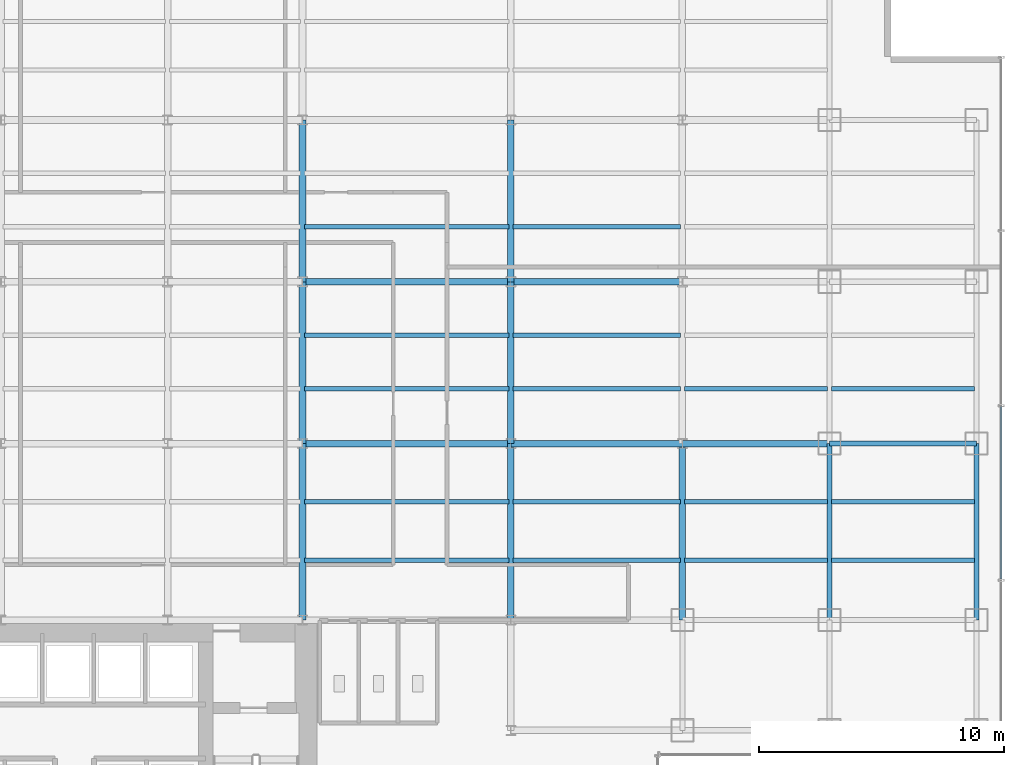
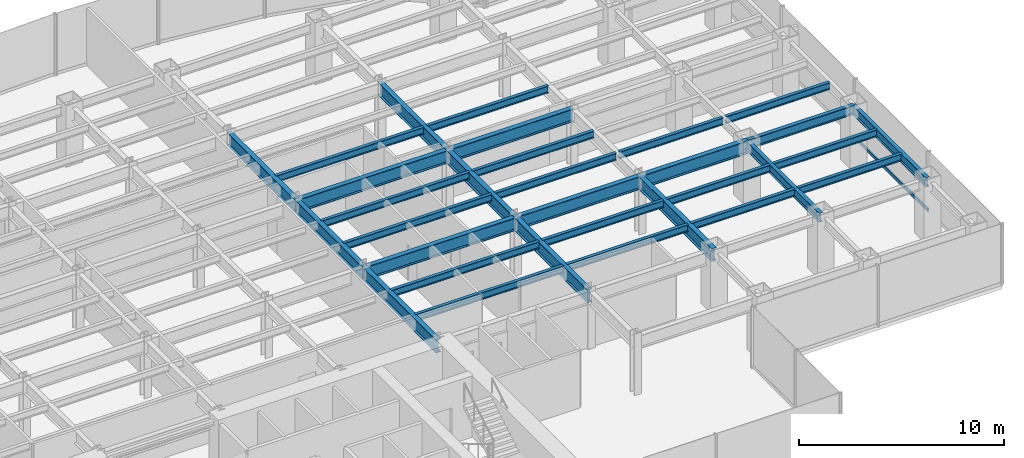
# One storey, part 8 of 23: 31 beams, 1 member, 1 element without a shape of its own.
"""IFC4 building model written with IfcOpenShell, lengths in metres."""

from ifc_helpers import new_model, si_unit, derived_unit, direction, frame, origin, origin_2d, place, context, subcontext, project, spatial, hollow_rectangle, i_section, extrude, source, transform, mapped, material, material_profile, profile_set, type_object, element, aggregate, save


model = new_model("IFC4")

# Units and contexts
model_context = context("Model", 3, precision=1e-05, world=origin(), true_north=direction((0.0, 1.0)))
body_context = subcontext(model_context, "Body", "Model", "MODEL_VIEW")
ifc_project = project(units=[si_unit("LENGTHUNIT", "METRE"), si_unit("AREAUNIT", "SQUARE_METRE"), si_unit("VOLUMEUNIT", "CUBIC_METRE"), si_unit("PLANEANGLEUNIT", "RADIAN"), si_unit("MASSUNIT", "GRAM", prefix="KILO"), derived_unit("THERMALTRANSMITTANCEUNIT", [(si_unit("POWERUNIT", "WATT"), 1), (si_unit("LENGTHUNIT", "METRE"), -2), (si_unit("THERMODYNAMICTEMPERATUREUNIT", "KELVIN"), -1)])], contexts=[model_context])

# Site, building, storey
site_placement = place(None, origin())
site = spatial("IfcSite", under=ifc_project, at=site_placement, CompositionType="ELEMENT")
building_placement = place(site_placement, origin())
building = spatial("IfcBuilding", under=site, at=building_placement, Name="Skarnbrae Concourse Arena and Tower", CompositionType="ELEMENT")
storey_placement = place(building_placement, frame((0.0, 0.0, 54.39990234375)))
storey = spatial("IfcBuildingStorey", under=building, at=storey_placement, Name="L12", CompositionType="ELEMENT", Elevation=54.39990234375)

# Beams
ifc_material_1 = material(Name="Steel CSA G40.21 350W", Category="steel")
ifc_material_profile_1 = material_profile(ifc_material_1, i_section(OverallWidth=0.26806640625, OverallDepth=0.77001953125, WebThickness=0.015625, FlangeThickness=0.025390625, at=origin_2d()), Name="W760X196")
ifc_profile_set_1 = profile_set([ifc_material_profile_1], Name="Steel CSA G40.21 350W")
beam_type_1 = type_object("IfcBeamType", Name="BM-GIRD-W760X196", PredefinedType="BEAM", material=ifc_profile_set_1)
shared_shape_1 = source(origin(), body_context, "Body", "SweptSolid", [
    extrude(i_section(OverallWidth=0.26806640625, OverallDepth=0.77001953125, WebThickness=0.015625, FlangeThickness=0.025390625, at=origin_2d()), origin(), (0.0, 0.0, 1.0), 7.0),
])
for number, where, z_axis, x_axis, name in (
    (1, (42.0, 21.199951171875, 3.01513671875), (1.0, 0.0, 0.0), (0.0, 1.0, 0.0), "L12 Primary E-W girder Y21.2-7"),
    (2, (42.0, 27.800048828125, 3.01513671875), (1.0, 0.0, 0.0), (0.0, 1.0, 0.0), "L12 Primary E-W girder Y27.8-7"),
):
    element("IfcBeam", number, at=place(storey_placement, frame(where, z_axis=z_axis, x_axis=x_axis)), inside=storey, type_object=beam_type_1, Name=name, PredefinedType="BEAM", context=body_context, shape_type="MappedRepresentation", body=[
        mapped(shared_shape_1, transform((0.0, 0.0, 0.0))),
    ])
ifc_material_profile_2 = material_profile(ifc_material_1, i_section(OverallWidth=0.214111328125, OverallDepth=0.549072265625, WebThickness=0.0146484375, FlangeThickness=0.023681640625, at=origin_2d()), Name="W530X138")
ifc_profile_set_2 = profile_set([ifc_material_profile_2], Name="Steel CSA G40.21 350W")
beam_type_2 = type_object("IfcBeamType", Name="BM-SPAN-W530X138", PredefinedType="SPANDREL", material=ifc_profile_set_2)
shared_shape_2 = source(origin(), body_context, "Body", "SweptSolid", [
    extrude(i_section(OverallWidth=0.214111328125, OverallDepth=0.549072265625, WebThickness=0.0146484375, FlangeThickness=0.023681640625, at=origin_2d()), origin(), (0.0, 0.0, 1.0), 6.0),
])
beam_1_placement = place(storey_placement, frame((55.0, 21.199951171875, 3.12548828125), z_axis=(1.0, 0.0, 0.0), x_axis=(0.0, 1.0, 0.0)))
element("IfcBeam", 3, at=beam_1_placement, inside=storey, type_object=beam_type_2, Name="L12 Perimeter spandrel Y21.2-9", PredefinedType="SPANDREL", context=body_context, shape_type="MappedRepresentation", body=[
    mapped(shared_shape_2, transform((0.0, 0.0, 0.0))),
])
shared_shape_3 = source(origin(), body_context, "Body", "SweptSolid", [
    extrude(i_section(OverallWidth=0.26806640625, OverallDepth=0.77001953125, WebThickness=0.015625, FlangeThickness=0.025390625, at=origin_2d()), origin(), (0.0, 0.0, 1.0), 6.60009765625),
])
for number, where, z_axis, x_axis, name in (
    (4, (33.5, 21.199951171875, 3.01513671875), (0.0, 1.0, 0.0), (-1.0, 0.0, 0.0), "L12 Primary N-S girder X33.5-2"),
    (5, (42.0, 21.199951171875, 3.01513671875), (0.0, 1.0, 0.0), (-1.0, 0.0, 0.0), "L12 Primary N-S girder X42.0-3"),
):
    element("IfcBeam", number, at=place(storey_placement, frame(where, z_axis=z_axis, x_axis=x_axis)), inside=storey, type_object=beam_type_1, Name=name, PredefinedType="BEAM", context=body_context, shape_type="MappedRepresentation", body=[
        mapped(shared_shape_3, transform((0.0, 0.0, 0.0))),
    ])
shared_shape_4 = source(origin(), body_context, "Body", "SweptSolid", [
    extrude(i_section(OverallWidth=0.26806640625, OverallDepth=0.77001953125, WebThickness=0.015625, FlangeThickness=0.025390625, at=origin_2d()), origin(), (0.0, 0.0, 1.0), 8.5),
])
for number, where, z_axis, x_axis, name in (
    (6, (33.5, 21.199951171875, 3.01513671875), (1.0, 0.0, 0.0), (0.0, 1.0, 0.0), "L12 Primary E-W girder Y21.2-6"),
    (7, (33.5, 27.800048828125, 3.01513671875), (1.0, 0.0, 0.0), (0.0, 1.0, 0.0), "L12 Primary E-W girder Y27.8-6"),
):
    element("IfcBeam", number, at=place(storey_placement, frame(where, z_axis=z_axis, x_axis=x_axis)), inside=storey, type_object=beam_type_1, Name=name, PredefinedType="BEAM", context=body_context, shape_type="MappedRepresentation", body=[
        mapped(shared_shape_4, transform((0.0, 0.0, 0.0))),
    ])
shared_shape_5 = source(origin(), body_context, "Body", "SweptSolid", [
    extrude(i_section(OverallWidth=0.26806640625, OverallDepth=0.77001953125, WebThickness=0.015625, FlangeThickness=0.025390625, at=origin_2d()), origin(), (0.0, 0.0, 1.0), 6.0),
])
beam_2_placement = place(storey_placement, frame((49.0, 21.199951171875, 3.01513671875), z_axis=(1.0, 0.0, 0.0), x_axis=(0.0, 1.0, 0.0)))
element("IfcBeam", 8, at=beam_2_placement, inside=storey, type_object=beam_type_1, Name="L12 Primary E-W girder Y21.2-8", PredefinedType="BEAM", context=body_context, shape_type="MappedRepresentation", body=[
    mapped(shared_shape_5, transform((0.0, 0.0, 0.0))),
])
shared_shape_6 = source(origin(), body_context, "Body", "SweptSolid", [
    extrude(i_section(OverallWidth=0.214111328125, OverallDepth=0.549072265625, WebThickness=0.0146484375, FlangeThickness=0.023681640625, at=origin_2d()), origin(), (0.0, 0.0, 1.0), 7.199951171875),
])
for number, where, z_axis, x_axis, name in (
    (9, (55.0, 14.0, 3.12548828125), (0.0, 1.0, 0.0), (-1.0, 0.0, 0.0), "L12 Perimeter spandrel X55.0-2"),
    (10, (61.0, 14.0, 3.12548828125), (0.0, 1.0, 0.0), (-1.0, 0.0, 0.0), "L12 Perimeter spandrel X61.0-2"),
):
    element("IfcBeam", number, at=place(storey_placement, frame(where, z_axis=z_axis, x_axis=x_axis)), inside=storey, type_object=beam_type_2, Name=name, PredefinedType="SPANDREL", context=body_context, shape_type="MappedRepresentation", body=[
        mapped(shared_shape_6, transform((0.0, 0.0, 0.0))),
    ])
shared_shape_7 = source(origin(), body_context, "Body", "SweptSolid", [
    extrude(i_section(OverallWidth=0.26806640625, OverallDepth=0.77001953125, WebThickness=0.015625, FlangeThickness=0.025390625, at=origin_2d()), origin(), (0.0, 0.0, 1.0), 7.199951171875),
])
for number, where, z_axis, x_axis, name in (
    (11, (33.5, 14.0, 3.01513671875), (0.0, 1.0, 0.0), (-1.0, 0.0, 0.0), "L12 Primary N-S girder X33.5-1"),
    (12, (42.0, 14.0, 3.01513671875), (0.0, 1.0, 0.0), (-1.0, 0.0, 0.0), "L12 Primary N-S girder X42.0-2"),
    (13, (49.0, 14.0, 3.01513671875), (0.0, 1.0, 0.0), (-1.0, 0.0, 0.0), "L12 Primary N-S girder X49.0-2"),
):
    element("IfcBeam", number, at=place(storey_placement, frame(where, z_axis=z_axis, x_axis=x_axis)), inside=storey, type_object=beam_type_1, Name=name, PredefinedType="BEAM", context=body_context, shape_type="MappedRepresentation", body=[
        mapped(shared_shape_7, transform((0.0, 0.0, 0.0))),
    ])
shared_shape_8 = source(origin(), body_context, "Body", "SweptSolid", [
    extrude(i_section(OverallWidth=0.26806640625, OverallDepth=0.77001953125, WebThickness=0.015625, FlangeThickness=0.025390625, at=origin_2d()), origin(), (0.0, 0.0, 1.0), 6.599853515625),
])
for number, where, z_axis, x_axis, name in (
    (14, (33.5, 27.800048828125, 3.01513671875), (0.0, 1.0, 0.0), (-1.0, 0.0, 0.0), "L12 Primary N-S girder X33.5-3"),
    (15, (42.0, 27.800048828125, 3.01513671875), (0.0, 1.0, 0.0), (-1.0, 0.0, 0.0), "L12 Primary N-S girder X42.0-4"),
):
    element("IfcBeam", number, at=place(storey_placement, frame(where, z_axis=z_axis, x_axis=x_axis)), inside=storey, type_object=beam_type_1, Name=name, PredefinedType="BEAM", context=body_context, shape_type="MappedRepresentation", body=[
        mapped(shared_shape_8, transform((0.0, 0.0, 0.0))),
    ])
ifc_material_profile_3 = material_profile(ifc_material_1, i_section(OverallWidth=0.180908203125, OverallDepth=0.4169921875, WebThickness=0.010986328125, FlangeThickness=0.018310546875, at=origin_2d()), Name="W410X85")
ifc_profile_set_3 = profile_set([ifc_material_profile_3], Name="Steel CSA G40.21 350W")
beam_type_3 = type_object("IfcBeamType", Name="BM-JOIST-W410X85", PredefinedType="JOIST", material=ifc_profile_set_3)
shared_shape_9 = source(origin(), body_context, "Body", "SweptSolid", [
    extrude(i_section(OverallWidth=0.180908203125, OverallDepth=0.4169921875, WebThickness=0.010986328125, FlangeThickness=0.018310546875, at=origin_2d()), origin(), (0.0, 0.0, 1.0), 8.33984375),
])
for number, where, z_axis, x_axis, name in (
    (16, (33.580078125, 16.447998046875, 3.191650390625), (1.0, 0.0, 0.0), (0.0, 1.0, 0.0), "L12 Secondary floor joist 1.1.6"),
    (17, (33.580078125, 18.823974609375, 3.191650390625), (1.0, 0.0, 0.0), (0.0, 1.0, 0.0), "L12 Secondary floor joist 1.2.6"),
    (18, (33.580078125, 23.444091796875, 3.191650390625), (1.0, 0.0, 0.0), (0.0, 1.0, 0.0), "L12 Secondary floor joist 2.1.6"),
    (19, (33.580078125, 25.6220703125, 3.191650390625), (1.0, 0.0, 0.0), (0.0, 1.0, 0.0), "L12 Secondary floor joist 2.2.6"),
    (20, (33.580078125, 30.0439453125, 3.191650390625), (1.0, 0.0, 0.0), (0.0, 1.0, 0.0), "L12 Secondary floor joist 3.1.6"),
):
    element("IfcBeam", number, at=place(storey_placement, frame(where, z_axis=z_axis, x_axis=x_axis)), inside=storey, type_object=beam_type_3, Name=name, PredefinedType="JOIST", context=body_context, shape_type="MappedRepresentation", body=[
        mapped(shared_shape_9, transform((0.0, 0.0, 0.0))),
    ])
shared_shape_10 = source(origin(), body_context, "Body", "SweptSolid", [
    extrude(i_section(OverallWidth=0.180908203125, OverallDepth=0.4169921875, WebThickness=0.010986328125, FlangeThickness=0.018310546875, at=origin_2d()), origin(), (0.0, 0.0, 1.0), 6.83984375),
])
for number, where, z_axis, x_axis, name in (
    (21, (42.080078125, 16.447998046875, 3.191650390625), (1.0, 0.0, 0.0), (0.0, 1.0, 0.0), "L12 Secondary floor joist 1.1.7"),
    (22, (42.080078125, 18.823974609375, 3.191650390625), (1.0, 0.0, 0.0), (0.0, 1.0, 0.0), "L12 Secondary floor joist 1.2.7"),
    (23, (42.080078125, 23.444091796875, 3.191650390625), (1.0, 0.0, 0.0), (0.0, 1.0, 0.0), "L12 Secondary floor joist 2.1.7"),
    (24, (42.080078125, 25.6220703125, 3.191650390625), (1.0, 0.0, 0.0), (0.0, 1.0, 0.0), "L12 Secondary floor joist 2.2.7"),
    (25, (42.080078125, 30.0439453125, 3.191650390625), (1.0, 0.0, 0.0), (0.0, 1.0, 0.0), "L12 Secondary floor joist 3.1.7"),
):
    element("IfcBeam", number, at=place(storey_placement, frame(where, z_axis=z_axis, x_axis=x_axis)), inside=storey, type_object=beam_type_3, Name=name, PredefinedType="JOIST", context=body_context, shape_type="MappedRepresentation", body=[
        mapped(shared_shape_10, transform((0.0, 0.0, 0.0))),
    ])
shared_shape_11 = source(origin(), body_context, "Body", "SweptSolid", [
    extrude(i_section(OverallWidth=0.180908203125, OverallDepth=0.4169921875, WebThickness=0.010986328125, FlangeThickness=0.018310546875, at=origin_2d()), origin(), (0.0, 0.0, 1.0), 5.83984375),
])
for number, where, z_axis, x_axis, name in (
    (26, (49.080078125, 16.447998046875, 3.191650390625), (1.0, 0.0, 0.0), (0.0, 1.0, 0.0), "L12 Secondary floor joist 1.1.8"),
    (27, (55.080078125, 16.447998046875, 3.191650390625), (1.0, 0.0, 0.0), (0.0, 1.0, 0.0), "L12 Secondary floor joist 1.1.9"),
    (28, (49.080078125, 18.823974609375, 3.191650390625), (1.0, 0.0, 0.0), (0.0, 1.0, 0.0), "L12 Secondary floor joist 1.2.8"),
    (29, (55.080078125, 18.823974609375, 3.191650390625), (1.0, 0.0, 0.0), (0.0, 1.0, 0.0), "L12 Secondary floor joist 1.2.9"),
    (30, (49.080078125, 23.444091796875, 3.191650390625), (1.0, 0.0, 0.0), (0.0, 1.0, 0.0), "L12 Secondary floor joist 2.1.8"),
    (31, (55.080078125, 23.444091796875, 3.191650390625), (1.0, 0.0, 0.0), (0.0, 1.0, 0.0), "L12 Secondary floor joist 2.1.9"),
):
    element("IfcBeam", number, at=place(storey_placement, frame(where, z_axis=z_axis, x_axis=x_axis)), inside=storey, type_object=beam_type_3, Name=name, PredefinedType="JOIST", context=body_context, shape_type="MappedRepresentation", body=[
        mapped(shared_shape_11, transform((0.0, 0.0, 0.0))),
    ])

# Curtain wall, member
ifc_material_2 = material(Name="Bronze anodised aluminium 6063-T6", Category="aluminium")
curtain_wall_type = type_object("IfcCurtainWallType", Name="CW-SYS-02-LOWZONE", PredefinedType="USERDEFINED", material=ifc_material_2)
curtain_wall_placement = place(storey_placement, origin())
curtain_wall = element("IfcCurtainWall", 32, at=curtain_wall_placement, inside=storey, type_object=curtain_wall_type, Name="L12 Unitised curtain wall CW-L12-E04", ObjectType="UNITISED CURTAIN WALL", PredefinedType="USERDEFINED")
ifc_material_profile_4 = material_profile(ifc_material_2, hollow_rectangle(XDim=0.080078125, YDim=0.18994140625, WallThickness=0.0048828125, at=origin_2d()), Name="ALU-TRAN-80X190")
ifc_profile_set_4 = profile_set([ifc_material_profile_4], Name="Bronze anodised aluminium 6063-T6")
member_type = type_object("IfcMemberType", Name="CWT-CW-02", PredefinedType="USERDEFINED", material=ifc_profile_set_4)
shared_shape_12 = source(origin(), body_context, "Body", "SweptSolid", [
    extrude(hollow_rectangle(XDim=0.080078125, YDim=0.18994140625, WallThickness=0.0048828125, at=origin_2d()), origin(), (0.0, 0.0, 1.0), 7.044921875),
])
member_placement = place(storey_placement, frame((62.0, 15.6650390625, 0.09521484375), z_axis=(0.0, 1.0, 0.0), x_axis=(-1.0, 0.0, 0.0)))
member = element("IfcMember", 33, at=member_placement, type_object=member_type, Name="CW-L12-E04 Transom 2", ObjectType="TRANSOM", PredefinedType="USERDEFINED", context=body_context, shape_type="MappedRepresentation", body=[
    mapped(shared_shape_12, transform((0.0, 0.0, 0.0))),
])
aggregate(curtain_wall, [member])

save(model, "model.ifc")
